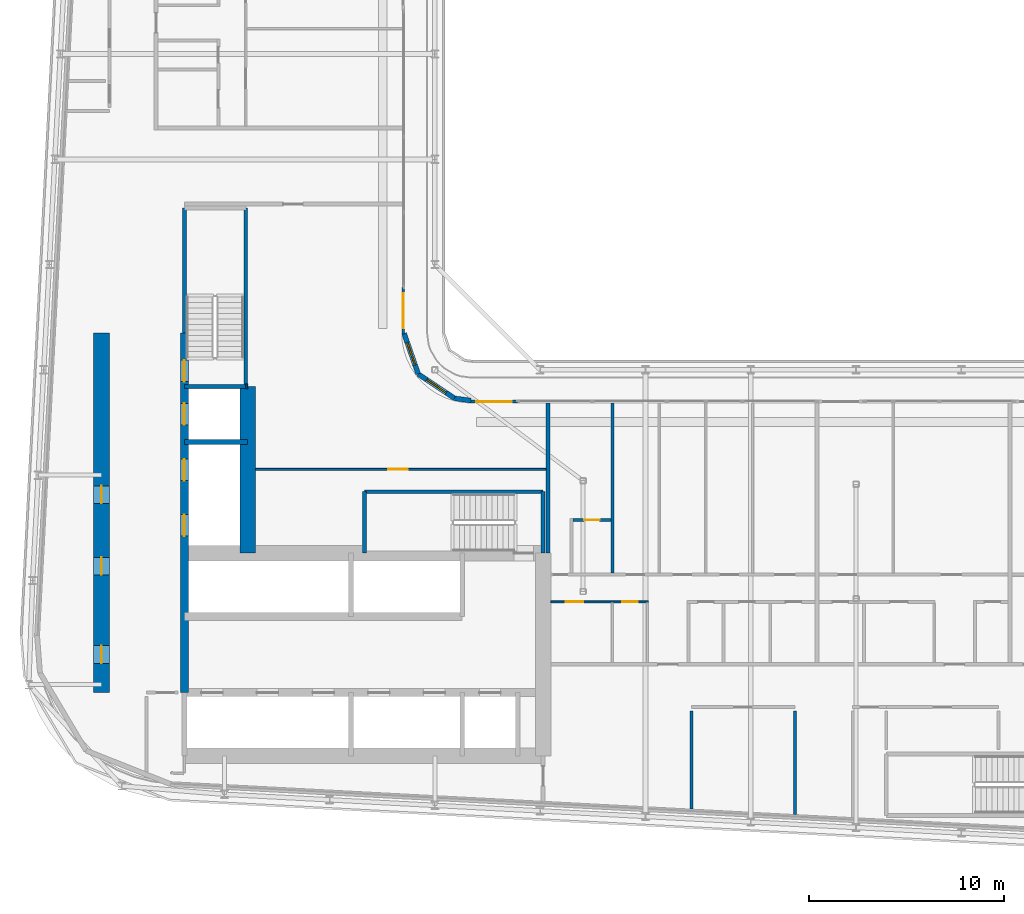
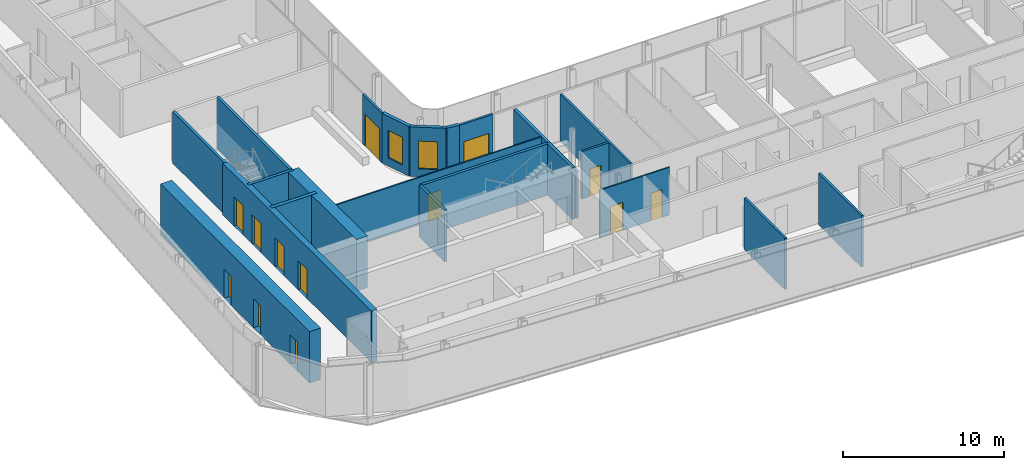
# One storey, part 16 of 30: 23 walls, 13 doors, 2 windows, 15 openings.
"""IFC4 building model written with IfcOpenShell, lengths in metres."""

from ifc_helpers import new_model, si_unit, direction, frame, frame_2d, origin, place, context, subcontext, project, spatial, rectangle, extrude, source, transform, mapped, material, layer, layer_set, type_object, element, fill, save


model = new_model("IFC4")

# Units and contexts
model_context = context("Model", 3, precision=1e-05, world=origin(), true_north=direction((0.0, 1.0)))
body_context = subcontext(model_context, "Body", "Model", "MODEL_VIEW")
ifc_project = project(units=[si_unit("LENGTHUNIT", "METRE"), si_unit("AREAUNIT", "SQUARE_METRE"), si_unit("VOLUMEUNIT", "CUBIC_METRE"), si_unit("PLANEANGLEUNIT", "RADIAN"), si_unit("MASSUNIT", "GRAM", prefix="KILO")], contexts=[model_context])

# Site, building, storey
site_placement = place(None, origin())
site = spatial("IfcSite", under=ifc_project, at=site_placement, CompositionType="ELEMENT")
building_placement = place(site_placement, origin())
building = spatial("IfcBuilding", under=site, at=building_placement, Name="Kheshtan School and Residences Tower", CompositionType="ELEMENT")
storey_placement = place(building_placement, frame((0.0, 0.0, 199.39990234375)))
storey = spatial("IfcBuildingStorey", under=building, at=storey_placement, Name="L47", CompositionType="ELEMENT", Elevation=199.39990234375)

# Wall, openings, doors
ifc_material_1 = material(Name="Concrete C50/60", Category="concrete")
ifc_layer_1 = layer(ifc_material_1, 0.39990234375)
ifc_layer_set_1 = layer_set([ifc_layer_1], Name="Core wall 400 Concrete C50/60")
wall_type_1 = type_object("IfcWallType", Name="Core wall 400 Concrete C50/60", PredefinedType="SHEAR", material=ifc_layer_set_1)
wall_1_placement = place(storey_placement, frame((34.75, 29.050048828125, 0.0), z_axis=(0.0, 0.0, 1.0), x_axis=(0.0, 1.0, 0.0)))
wall_1 = element("IfcWall", 1, at=wall_1_placement, inside=storey, type_object=wall_type_1, Name="Core wall CW-HALL-W1", PredefinedType="SHEAR", context=body_context, shape_type="SweptSolid", body=[
    extrude(rectangle(XDim=18.449951171875, YDim=0.39990234375, at=frame_2d((9.22509765625, 0.0))), origin(), (0.0, 0.0, 1.0), 3.900146484375),
])
opening_1_placement = place(wall_1_placement, frame((8.02490234375, 0.0, 0.0)))
opening_1 = element("IfcOpeningElement", 2, at=opening_1_placement, cuts=wall_1, Name="Opening LD", PredefinedType="OPENING", context=body_context, shape_type="SweptSolid", body=[
    extrude(rectangle(XDim=1.10009765625, YDim=2.199951171875, at=frame_2d((0.550048828125, 1.10009765625))), frame((0.0, 0.2099609375, 0.0), z_axis=(0.0, -1.0, 0.0), x_axis=(1.0, 0.0, 0.0)), (0.0, 0.0, 1.0), 0.419921875),
])
opening_2_placement = place(wall_1_placement, frame((10.875, 0.0, 0.0)))
opening_2 = element("IfcOpeningElement", 3, at=opening_2_placement, cuts=wall_1, Name="Opening LD", PredefinedType="OPENING", context=body_context, shape_type="SweptSolid", body=[
    extrude(rectangle(XDim=1.10009765625, YDim=2.199951171875, at=frame_2d((0.550048828125, 1.10009765625))), frame((0.0, 0.2099609375, 0.0), z_axis=(0.0, -1.0, 0.0), x_axis=(1.0, 0.0, 0.0)), (0.0, 0.0, 1.0), 0.419921875),
])
opening_3_placement = place(wall_1_placement, frame((13.72509765625, 0.0, 0.0)))
opening_3 = element("IfcOpeningElement", 4, at=opening_3_placement, cuts=wall_1, Name="Opening LD", PredefinedType="OPENING", context=body_context, shape_type="SweptSolid", body=[
    extrude(rectangle(XDim=1.10009765625, YDim=2.199951171875, at=frame_2d((0.550048828125, 1.10009765625))), frame((0.0, 0.2099609375, 0.0), z_axis=(0.0, -1.0, 0.0), x_axis=(1.0, 0.0, 0.0)), (0.0, 0.0, 1.0), 0.419921875),
])
opening_4_placement = place(wall_1_placement, frame((15.949951171875, 0.0, 0.0)))
opening_4 = element("IfcOpeningElement", 5, at=opening_4_placement, cuts=wall_1, Name="Opening ST2D", PredefinedType="OPENING", context=body_context, shape_type="SweptSolid", body=[
    extrude(rectangle(XDim=1.10009765625, YDim=2.199951171875, at=frame_2d((0.550048828125, 1.10009765625))), frame((0.0, 0.2099609375, 0.0), z_axis=(0.0, -1.0, 0.0), x_axis=(1.0, 0.0, 0.0)), (0.0, 0.0, 1.0), 0.419921875),
])
ifc_material_2 = material(Name="Stainless steel door leaves", Category="steel")
door_type_1 = type_object("IfcDoorType", Name="Lift landing door 1100", OperationType="SLIDING_TO_LEFT", PredefinedType="DOOR", material=ifc_material_2)
shared_shape_1 = source(origin(), body_context, "Body", "SweptSolid", [
    extrude(rectangle(XDim=1.10009765625, YDim=2.199951171875, at=frame_2d((0.550048828125, 1.10009765625))), frame((0.0, 0.02490234375, 0.0), z_axis=(0.0, -1.0, 0.0), x_axis=(1.0, 0.0, 0.0)), (0.0, 0.0, 1.0), 0.050048828125),
])
door_1_placement = place(opening_1_placement, origin())
door_1 = element("IfcDoor", 6, at=door_1_placement, inside=storey, type_object=door_type_1, Name="Lift SV1 landing door", OperationType="SLIDING_TO_LEFT", OverallHeight=2.199951171875, OverallWidth=1.10009765625, PredefinedType="DOOR", context=body_context, shape_type="MappedRepresentation", body=[
    mapped(shared_shape_1, transform((0.0, 0.0, 0.0), x_axis=(1.0, 0.0, 0.0), y_axis=(0.0, 1.0, 0.0), z_axis=(0.0, 0.0, 1.0), scale=1.0)),
])
fill(opening_1, door_1)
door_2_placement = place(opening_2_placement, origin())
door_2 = element("IfcDoor", 7, at=door_2_placement, inside=storey, type_object=door_type_1, Name="Lift SV2 landing door", OperationType="SLIDING_TO_LEFT", OverallHeight=2.199951171875, OverallWidth=1.10009765625, PredefinedType="DOOR", context=body_context, shape_type="MappedRepresentation", body=[
    mapped(shared_shape_1, transform((0.0, 0.0, 0.0), x_axis=(1.0, 0.0, 0.0), y_axis=(0.0, 1.0, 0.0), z_axis=(0.0, 0.0, 1.0), scale=1.0)),
])
fill(opening_2, door_2)
door_3_placement = place(opening_3_placement, origin())
door_3 = element("IfcDoor", 8, at=door_3_placement, inside=storey, type_object=door_type_1, Name="Lift FFL1 landing door", OperationType="SLIDING_TO_LEFT", OverallHeight=2.199951171875, OverallWidth=1.10009765625, PredefinedType="DOOR", context=body_context, shape_type="MappedRepresentation", body=[
    mapped(shared_shape_1, transform((0.0, 0.0, 0.0), x_axis=(1.0, 0.0, 0.0), y_axis=(0.0, 1.0, 0.0), z_axis=(0.0, 0.0, 1.0), scale=1.0)),
])
fill(opening_3, door_3)
ifc_material_3 = material(Name="Steel door leaf, galvanised", Category="steel")
door_type_2 = type_object("IfcDoorType", Name="Stair door 1100 steel 90 min", OperationType="SINGLE_SWING_LEFT", PredefinedType="DOOR", material=ifc_material_3)
shared_shape_2 = source(origin(), body_context, "Body", "SweptSolid", [
    extrude(rectangle(XDim=1.10009765625, YDim=2.199951171875, at=frame_2d((0.550048828125, 1.10009765625))), frame((0.0, 0.02490234375, 0.0), z_axis=(0.0, -1.0, 0.0), x_axis=(1.0, 0.0, 0.0)), (0.0, 0.0, 1.0), 0.050048828125),
])
door_4_placement = place(opening_4_placement, origin())
door_4 = element("IfcDoor", 9, at=door_4_placement, inside=storey, type_object=door_type_2, Name="Stair ST2 door", OperationType="SINGLE_SWING_RIGHT", OverallHeight=2.199951171875, OverallWidth=1.10009765625, PredefinedType="DOOR", context=body_context, shape_type="MappedRepresentation", body=[
    mapped(shared_shape_2, transform((0.0, 0.0, 0.0), x_axis=(1.0, 0.0, 0.0), y_axis=(0.0, 1.0, 0.0), z_axis=(0.0, 0.0, 1.0), scale=1.0)),
])
fill(opening_4, door_4)

# Wall
ifc_material_4 = material(Name="Concrete C70/85", Category="concrete")
ifc_layer_2 = layer(ifc_material_4, 0.800048828125)
ifc_layer_set_2 = layer_set([ifc_layer_2], Name="Core wall 800 Concrete C70/85")
wall_type_2 = type_object("IfcWallType", Name="Core wall 800 Concrete C70/85", PredefinedType="SHEAR", material=ifc_layer_set_2)
wall_2_placement = place(storey_placement, frame((38.0, 36.199951171875, 0.0), z_axis=(0.0, 0.0, 1.0), x_axis=(0.0, 1.0, 0.0)))
element("IfcWall", 10, at=wall_2_placement, inside=storey, type_object=wall_type_2, Name="Core wall CW-FRONT-W", PredefinedType="SHEAR", context=body_context, shape_type="SweptSolid", body=[
    extrude(rectangle(XDim=8.550048828125, YDim=0.800048828125, at=frame_2d((4.27490234375, 0.0))), origin(), (0.0, 0.0, 1.0), 3.900146484375),
])

# Wall, openings, doors
wall_3_placement = place(storey_placement, frame((30.5, 29.050048828125, 0.0), z_axis=(0.0, 0.0, 1.0), x_axis=(0.0, 1.0, 0.0)))
wall_3 = element("IfcWall", 11, at=wall_3_placement, inside=storey, type_object=wall_type_2, Name="Core wall CW-REAR-W", PredefinedType="SHEAR", context=body_context, shape_type="SweptSolid", body=[
    extrude(rectangle(XDim=18.449951171875, YDim=0.800048828125, at=frame_2d((9.22509765625, 0.0))), origin(), (0.0, 0.0, 1.0), 3.900146484375),
])
opening_5_placement = place(wall_3_placement, frame((1.5, 0.0, 0.0)))
opening_5 = element("IfcOpeningElement", 12, at=opening_5_placement, cuts=wall_3, Name="Opening SR90", PredefinedType="OPENING", context=body_context, shape_type="SweptSolid", body=[
    extrude(rectangle(XDim=0.89990234375, YDim=2.199951171875, at=frame_2d((0.449951171875, 1.10009765625))), frame((0.0, 0.41015625, 0.0), z_axis=(0.0, -1.0, 0.0), x_axis=(1.0, 0.0, 0.0)), (0.0, 0.0, 1.0), 0.820068359375),
])
opening_6_placement = place(wall_3_placement, frame((6.030029296875, 0.0, 0.0)))
opening_6 = element("IfcOpeningElement", 13, at=opening_6_placement, cuts=wall_3, Name="Opening SR90", PredefinedType="OPENING", context=body_context, shape_type="SweptSolid", body=[
    extrude(rectangle(XDim=0.89990234375, YDim=2.199951171875, at=frame_2d((0.449951171875, 1.10009765625))), frame((0.0, 0.41015625, 0.0), z_axis=(0.0, -1.0, 0.0), x_axis=(1.0, 0.0, 0.0)), (0.0, 0.0, 1.0), 0.820068359375),
])
opening_7_placement = place(wall_3_placement, frame((9.699951171875, 0.0, 0.0)))
opening_7 = element("IfcOpeningElement", 14, at=opening_7_placement, cuts=wall_3, Name="Opening SR90", PredefinedType="OPENING", context=body_context, shape_type="SweptSolid", body=[
    extrude(rectangle(XDim=0.89990234375, YDim=2.199951171875, at=frame_2d((0.449951171875, 1.10009765625))), frame((0.0, 0.41015625, 0.0), z_axis=(0.0, -1.0, 0.0), x_axis=(1.0, 0.0, 0.0)), (0.0, 0.0, 1.0), 0.820068359375),
])
door_type_3 = type_object("IfcDoorType", Name="Service room door 900 steel 90 min", OperationType="SINGLE_SWING_LEFT", PredefinedType="DOOR", material=ifc_material_3)
shared_shape_3 = source(origin(), body_context, "Body", "SweptSolid", [
    extrude(rectangle(XDim=0.89990234375, YDim=2.199951171875, at=frame_2d((0.449951171875, 1.10009765625))), frame((0.0, 0.02490234375, 0.0), z_axis=(0.0, -1.0, 0.0), x_axis=(1.0, 0.0, 0.0)), (0.0, 0.0, 1.0), 0.050048828125),
])
door_5_placement = place(opening_5_placement, origin())
door_5 = element("IfcDoor", 15, at=door_5_placement, inside=storey, type_object=door_type_3, Name="Service room door", OperationType="SINGLE_SWING_LEFT", OverallHeight=2.199951171875, OverallWidth=0.89990234375, PredefinedType="DOOR", context=body_context, shape_type="MappedRepresentation", body=[
    mapped(shared_shape_3, transform((0.0, 0.0, 0.0), x_axis=(1.0, 0.0, 0.0), y_axis=(0.0, 1.0, 0.0), z_axis=(0.0, 0.0, 1.0), scale=1.0)),
])
fill(opening_5, door_5)
door_6_placement = place(opening_6_placement, origin())
door_6 = element("IfcDoor", 16, at=door_6_placement, inside=storey, type_object=door_type_3, Name="Service room door", OperationType="SINGLE_SWING_RIGHT", OverallHeight=2.199951171875, OverallWidth=0.89990234375, PredefinedType="DOOR", context=body_context, shape_type="MappedRepresentation", body=[
    mapped(shared_shape_3, transform((0.0, 0.0, 0.0), x_axis=(1.0, 0.0, 0.0), y_axis=(0.0, 1.0, 0.0), z_axis=(0.0, 0.0, 1.0), scale=1.0)),
])
fill(opening_6, door_6)
door_7_placement = place(opening_7_placement, origin())
door_7 = element("IfcDoor", 17, at=door_7_placement, inside=storey, type_object=door_type_3, Name="Service room door", OperationType="SINGLE_SWING_LEFT", OverallHeight=2.199951171875, OverallWidth=0.89990234375, PredefinedType="DOOR", context=body_context, shape_type="MappedRepresentation", body=[
    mapped(shared_shape_3, transform((0.0, 0.0, 0.0), x_axis=(1.0, 0.0, 0.0), y_axis=(0.0, 1.0, 0.0), z_axis=(0.0, 0.0, 1.0), scale=1.0)),
])
fill(opening_7, door_7)

# Wall, opening, window
ifc_material_5 = material(Name="Concrete C40/50 with ceramic cladding and mineral wool insulation", Category="concrete")
ifc_layer_3 = layer(ifc_material_5, 0.25)
ifc_layer_set_3 = layer_set([ifc_layer_3], Name="External wall 250 ceramic clad")
wall_type_3 = type_object("IfcWallType", Name="External wall 250 ceramic clad", PredefinedType="SOLIDWALL", material=ifc_layer_set_3)
wall_4_placement = place(storey_placement, frame((46.01806640625, 47.470947265625, 0.0), z_axis=(0.0, 0.0, 1.0), x_axis=(0.328791208903, -0.944402637093, 0.0)))
wall_4 = element("IfcWall", 18, at=wall_4_placement, inside=storey, type_object=wall_type_3, Name="External wall L47 9", PredefinedType="SOLIDWALL", context=body_context, shape_type="SweptSolid", body=[
    extrude(rectangle(XDim=2.20458984375, YDim=0.25, at=frame_2d((1.102294921875, 0.0))), origin(), (0.0, 0.0, 1.0), 3.75),
])
opening_8_placement = place(wall_4_placement, frame((0.5029296875, 0.0, 0.60009765625)))
opening_8 = element("IfcOpeningElement", 19, at=opening_8_placement, cuts=wall_4, Name="Opening WN-E", PredefinedType="OPENING", context=body_context, shape_type="SweptSolid", body=[
    extrude(rectangle(XDim=1.199951171875, YDim=2.10009765625, at=frame_2d((0.60009765625, 1.050048828125))), frame((0.0, 0.135009765625, 0.0), z_axis=(0.0, -1.0, 0.0), x_axis=(1.0, 0.0, 0.0)), (0.0, 0.0, 1.0), 0.27001953125),
])
ifc_material_6 = material(Name="Clear low-e glass in thermally broken aluminium frame", Category="aluminium")
window_type = type_object("IfcWindowType", Name="Window WN-E", PartitioningType="SINGLE_PANEL", PredefinedType="WINDOW", material=ifc_material_6)
shared_shape_4 = source(origin(), body_context, "Body", "SweptSolid", [
    extrude(rectangle(XDim=1.199951171875, YDim=2.10009765625, at=frame_2d((0.60009765625, 1.050048828125))), frame((0.0, 0.030029296875, 0.0), z_axis=(0.0, -1.0, 0.0), x_axis=(1.0, 0.0, 0.0)), (0.0, 0.0, 1.0), 0.06005859375),
])
window_1_placement = place(opening_8_placement, origin())
window_1 = element("IfcWindow", 20, at=window_1_placement, inside=storey, type_object=window_type, Name="Window L47 9", OverallHeight=2.10009765625, OverallWidth=1.199951171875, PartitioningType="SINGLE_PANEL", PredefinedType="WINDOW", context=body_context, shape_type="MappedRepresentation", body=[
    mapped(shared_shape_4, transform((0.0, 0.0, 0.0), x_axis=(1.0, 0.0, 0.0), y_axis=(0.0, 1.0, 0.0), z_axis=(0.0, 0.0, 1.0), scale=1.0)),
])
fill(opening_8, window_1)

wall_5_placement = place(storey_placement, frame((46.742919921875, 45.388916015625, 0.0), z_axis=(0.0, 0.0, 1.0), x_axis=(0.831449265529, -0.555600682912, 0.0)))
wall_5 = element("IfcWall", 21, at=wall_5_placement, inside=storey, type_object=wall_type_3, Name="External wall L47 10", PredefinedType="SOLIDWALL", context=body_context, shape_type="SweptSolid", body=[
    extrude(rectangle(XDim=2.25146484375, YDim=0.25, at=frame_2d((1.125732421875, 0.0))), origin(), (0.0, 0.0, 1.0), 3.75),
])
opening_9_placement = place(wall_5_placement, frame((0.52490234375, 0.0, 0.60009765625)))
opening_9 = element("IfcOpeningElement", 22, at=opening_9_placement, cuts=wall_5, Name="Opening WN-E", PredefinedType="OPENING", context=body_context, shape_type="SweptSolid", body=[
    extrude(rectangle(XDim=1.199951171875, YDim=2.10009765625, at=frame_2d((0.60009765625, 1.050048828125))), frame((0.0, 0.135009765625, 0.0), z_axis=(0.0, -1.0, 0.0), x_axis=(1.0, 0.0, 0.0)), (0.0, 0.0, 1.0), 0.27001953125),
])
window_2_placement = place(opening_9_placement, origin())
window_2 = element("IfcWindow", 23, at=window_2_placement, inside=storey, type_object=window_type, Name="Window L47 10", OverallHeight=2.10009765625, OverallWidth=1.199951171875, PartitioningType="SINGLE_PANEL", PredefinedType="WINDOW", context=body_context, shape_type="MappedRepresentation", body=[
    mapped(shared_shape_4, transform((0.0, 0.0, 0.0), x_axis=(1.0, 0.0, 0.0), y_axis=(0.0, 1.0, 0.0), z_axis=(0.0, 0.0, 1.0), scale=1.0)),
])
fill(opening_9, window_2)

# Wall
wall_6_placement = place(storey_placement, frame((48.614990234375, 44.137939453125, 0.0), z_axis=(0.0, 0.0, 1.0), x_axis=(0.990741504246, -0.135761819977, 0.0)))
element("IfcWall", 24, at=wall_6_placement, inside=storey, type_object=wall_type_3, Name="External wall L47 11", PredefinedType="SOLIDWALL", context=body_context, shape_type="SweptSolid", body=[
    extrude(rectangle(XDim=0.83984375, YDim=0.25, at=frame_2d((0.419921875, 0.0))), origin(), (0.0, 0.0, 1.0), 3.75),
])

# Wall, opening, door
ifc_material_7 = material(Name="Aluminium frame wall with insulated infill", Category="aluminium")
ifc_layer_4 = layer(ifc_material_7, 0.14990234375)
ifc_layer_set_4 = layer_set([ifc_layer_4], Name="Glazing frame wall 150")
wall_type_4 = type_object("IfcWallType", Name="Glazing frame wall 150", PredefinedType="SOLIDWALL", material=ifc_layer_set_4)
wall_7_placement = place(storey_placement, frame((45.97509765625, 49.830078125, 0.0), z_axis=(0.0, 0.0, 1.0), x_axis=(0.0, -1.0, 0.0)))
wall_7 = element("IfcWall", 25, at=wall_7_placement, inside=storey, type_object=wall_type_4, Name="Balcony door wall L47 8.5", PredefinedType="SOLIDWALL", context=body_context, shape_type="SweptSolid", body=[
    extrude(rectangle(XDim=2.400146484375, YDim=0.14990234375, at=frame_2d((1.2001953125, 0.0))), origin(), (0.0, 0.0, 1.0), 3.75),
])
opening_10_placement = place(wall_7_placement, frame((0.300048828125, 0.0, 0.0)))
opening_10 = element("IfcOpeningElement", 26, at=opening_10_placement, cuts=wall_7, Name="Opening BD", PredefinedType="OPENING", context=body_context, shape_type="SweptSolid", body=[
    extrude(rectangle(XDim=1.800048828125, YDim=2.39990234375, at=frame_2d((0.89990234375, 1.199951171875))), frame((0.0, 0.0849609375, 0.0), z_axis=(0.0, -1.0, 0.0), x_axis=(1.0, 0.0, 0.0)), (0.0, 0.0, 1.0), 0.169921875),
])
door_type_4 = type_object("IfcDoorType", Name="Balcony sliding door", OperationType="SLIDING_TO_LEFT", PredefinedType="DOOR", material=ifc_material_6)
shared_shape_5 = source(origin(), body_context, "Body", "SweptSolid", [
    extrude(rectangle(XDim=1.800048828125, YDim=2.39990234375, at=frame_2d((0.89990234375, 1.199951171875))), frame((0.0, 0.02490234375, 0.0), z_axis=(0.0, -1.0, 0.0), x_axis=(1.0, 0.0, 0.0)), (0.0, 0.0, 1.0), 0.050048828125),
])
door_8_placement = place(opening_10_placement, origin())
door_8 = element("IfcDoor", 27, at=door_8_placement, inside=storey, type_object=door_type_4, Name="Balcony door L47 8.5", OperationType="SLIDING_TO_LEFT", OverallHeight=2.39990234375, OverallWidth=1.800048828125, PredefinedType="DOOR", context=body_context, shape_type="MappedRepresentation", body=[
    mapped(shared_shape_5, transform((0.0, 0.0, 0.0), x_axis=(1.0, 0.0, 0.0), y_axis=(0.0, 1.0, 0.0), z_axis=(0.0, 0.0, 1.0), scale=1.0)),
])
fill(opening_10, door_8)

wall_8_placement = place(storey_placement, frame((49.429931640625, 43.97509765625, 0.0), z_axis=(0.0, 0.0, 1.0), x_axis=(1.0, 0.0, 0.0)))
wall_8 = element("IfcWall", 28, at=wall_8_placement, inside=storey, type_object=wall_type_4, Name="Balcony door wall L47 12.1", PredefinedType="SOLIDWALL", context=body_context, shape_type="SweptSolid", body=[
    extrude(rectangle(XDim=2.400146484375, YDim=0.14990234375, at=frame_2d((1.2001953125, 0.0))), origin(), (0.0, 0.0, 1.0), 3.75),
])
opening_11_placement = place(wall_8_placement, frame((0.300048828125, 0.0, 0.0)))
opening_11 = element("IfcOpeningElement", 29, at=opening_11_placement, cuts=wall_8, Name="Opening BD", PredefinedType="OPENING", context=body_context, shape_type="SweptSolid", body=[
    extrude(rectangle(XDim=1.800048828125, YDim=2.39990234375, at=frame_2d((0.89990234375, 1.199951171875))), frame((0.0, 0.0849609375, 0.0), z_axis=(0.0, -1.0, 0.0), x_axis=(1.0, 0.0, 0.0)), (0.0, 0.0, 1.0), 0.169921875),
])
door_9_placement = place(opening_11_placement, origin())
door_9 = element("IfcDoor", 30, at=door_9_placement, inside=storey, type_object=door_type_4, Name="Balcony door L47 12.1", OperationType="SLIDING_TO_LEFT", OverallHeight=2.39990234375, OverallWidth=1.800048828125, PredefinedType="DOOR", context=body_context, shape_type="MappedRepresentation", body=[
    mapped(shared_shape_5, transform((0.0, 0.0, 0.0), x_axis=(1.0, 0.0, 0.0), y_axis=(0.0, 1.0, 0.0), z_axis=(0.0, 0.0, 1.0), scale=1.0)),
])
fill(opening_11, door_9)

ifc_material_8 = material(Name="Gypsum board on steel studs", Category="steel")
ifc_layer_5 = layer(ifc_material_8, 0.10009765625)
ifc_layer_set_5 = layer_set([ifc_layer_5], Name="Gypsum partition 100")
wall_type_5 = type_object("IfcWallType", Name="Gypsum partition 100", PredefinedType="PARTITIONING", material=ifc_layer_set_5)
wall_9_placement = place(storey_placement, frame((38.39892578125, 40.5, 0.0), z_axis=(0.0, 0.0, 1.0), x_axis=(1.0, 0.0, 0.0)))
wall_9 = element("IfcWall", 31, at=wall_9_placement, inside=storey, type_object=wall_type_5, Name="Partition L47-031", PredefinedType="PARTITIONING", context=body_context, shape_type="SweptSolid", body=[
    extrude(rectangle(XDim=14.901123046875, YDim=0.10009765625, at=frame_2d((7.45068359375, 0.0))), origin(), (0.0, 0.0, 1.0), 3.60009765625),
])
opening_12_placement = place(wall_9_placement, frame((6.801025390625, 0.0, 0.0)))
opening_12 = element("IfcOpeningElement", 32, at=opening_12_placement, cuts=wall_9, Name="Opening D46-054", PredefinedType="OPENING", context=body_context, shape_type="SweptSolid", body=[
    extrude(rectangle(XDim=1.0, YDim=2.10009765625, at=frame_2d((0.5, 1.050048828125))), frame((0.0, 0.06005859375, 0.0), z_axis=(0.0, -1.0, 0.0), x_axis=(1.0, 0.0, 0.0)), (0.0, 0.0, 1.0), 0.1201171875),
])
ifc_material_9 = material(Name="Veneered timber door leaf", Category="wood")
door_type_5 = type_object("IfcDoorType", Name="Door 1000 x 2100", OperationType="SINGLE_SWING_LEFT", PredefinedType="DOOR", material=ifc_material_9)
shared_shape_6 = source(origin(), body_context, "Body", "SweptSolid", [
    extrude(rectangle(XDim=1.0, YDim=2.10009765625, at=frame_2d((0.5, 1.050048828125))), frame((0.0, 0.02490234375, 0.0), z_axis=(0.0, -1.0, 0.0), x_axis=(1.0, 0.0, 0.0)), (0.0, 0.0, 1.0), 0.050048828125),
])
door_10_placement = place(opening_12_placement, origin())
door_10 = element("IfcDoor", 33, at=door_10_placement, inside=storey, type_object=door_type_5, Name="Door D46-054", OperationType="SINGLE_SWING_LEFT", OverallHeight=2.10009765625, OverallWidth=1.0, PredefinedType="DOOR", context=body_context, shape_type="MappedRepresentation", body=[
    mapped(shared_shape_6, transform((0.0, 0.0, 0.0), x_axis=(1.0, 0.0, 0.0), y_axis=(0.0, 1.0, 0.0), z_axis=(0.0, 0.0, 1.0), scale=1.0)),
])
fill(opening_12, door_10)

# Wall, openings, doors
wall_10_placement = place(storey_placement, frame((53.549072265625, 33.699951171875, 0.0), z_axis=(0.0, 0.0, 1.0), x_axis=(1.0, 0.0, 0.0)))
wall_10 = element("IfcWall", 34, at=wall_10_placement, inside=storey, type_object=wall_type_5, Name="Partition L47-035", PredefinedType="PARTITIONING", context=body_context, shape_type="SweptSolid", body=[
    extrude(rectangle(XDim=5.0009765625, YDim=0.10009765625, at=frame_2d((2.50048828125, 0.0))), origin(), (0.0, 0.0, 1.0), 3.60009765625),
])
opening_13_placement = place(wall_10_placement, frame((0.7509765625, 0.0, 0.0)))
opening_13 = element("IfcOpeningElement", 35, at=opening_13_placement, cuts=wall_10, Name="Opening D46-007", PredefinedType="OPENING", context=body_context, shape_type="SweptSolid", body=[
    extrude(rectangle(XDim=0.89990234375, YDim=2.10009765625, at=frame_2d((0.449951171875, 1.050048828125))), frame((0.0, 0.06005859375, 0.0), z_axis=(0.0, -1.0, 0.0), x_axis=(1.0, 0.0, 0.0)), (0.0, 0.0, 1.0), 0.1201171875),
])
opening_14_placement = place(wall_10_placement, frame((3.65087890625, 0.0, 0.0)))
opening_14 = element("IfcOpeningElement", 36, at=opening_14_placement, cuts=wall_10, Name="Opening D46-011", PredefinedType="OPENING", context=body_context, shape_type="SweptSolid", body=[
    extrude(rectangle(XDim=0.800048828125, YDim=2.10009765625, at=frame_2d((0.39990234375, 1.050048828125))), frame((0.0, 0.06005859375, 0.0), z_axis=(0.0, -1.0, 0.0), x_axis=(1.0, 0.0, 0.0)), (0.0, 0.0, 1.0), 0.1201171875),
])
door_type_6 = type_object("IfcDoorType", Name="Door 800 x 2100", OperationType="SINGLE_SWING_LEFT", PredefinedType="DOOR", material=ifc_material_9)
shared_shape_7 = source(origin(), body_context, "Body", "SweptSolid", [
    extrude(rectangle(XDim=0.800048828125, YDim=2.10009765625, at=frame_2d((0.39990234375, 1.050048828125))), frame((0.0, 0.02490234375, 0.0), z_axis=(0.0, -1.0, 0.0), x_axis=(1.0, 0.0, 0.0)), (0.0, 0.0, 1.0), 0.050048828125),
])
door_11_placement = place(opening_14_placement, origin())
door_11 = element("IfcDoor", 37, at=door_11_placement, inside=storey, type_object=door_type_6, Name="Door D46-011", OperationType="SINGLE_SWING_RIGHT", OverallHeight=2.10009765625, OverallWidth=0.800048828125, PredefinedType="DOOR", context=body_context, shape_type="MappedRepresentation", body=[
    mapped(shared_shape_7, transform((0.0, 0.0, 0.0), x_axis=(1.0, 0.0, 0.0), y_axis=(0.0, 1.0, 0.0), z_axis=(0.0, 0.0, 1.0), scale=1.0)),
])
fill(opening_14, door_11)
door_type_7 = type_object("IfcDoorType", Name="Door 900 x 2100", OperationType="SINGLE_SWING_LEFT", PredefinedType="DOOR", material=ifc_material_9)
shared_shape_8 = source(origin(), body_context, "Body", "SweptSolid", [
    extrude(rectangle(XDim=0.89990234375, YDim=2.10009765625, at=frame_2d((0.449951171875, 1.050048828125))), frame((0.0, 0.02490234375, 0.0), z_axis=(0.0, -1.0, 0.0), x_axis=(1.0, 0.0, 0.0)), (0.0, 0.0, 1.0), 0.050048828125),
])
door_12_placement = place(opening_13_placement, origin())
door_12 = element("IfcDoor", 38, at=door_12_placement, inside=storey, type_object=door_type_7, Name="Door D46-007", OperationType="SINGLE_SWING_RIGHT", OverallHeight=2.10009765625, OverallWidth=0.89990234375, PredefinedType="DOOR", context=body_context, shape_type="MappedRepresentation", body=[
    mapped(shared_shape_8, transform((0.0, 0.0, 0.0), x_axis=(1.0, 0.0, 0.0), y_axis=(0.0, 1.0, 0.0), z_axis=(0.0, 0.0, 1.0), scale=1.0)),
])
fill(opening_13, door_12)

# Walls
ifc_material_10 = material(Name="Fire-board shaft wall system")
ifc_layer_6 = layer(ifc_material_10, 0.14990234375)
ifc_layer_set_6 = layer_set([ifc_layer_6], Name="Service room wall 150")
wall_type_6 = type_object("IfcWallType", Name="Service room wall 150", PredefinedType="PARTITIONING", material=ifc_layer_set_6)
wall_11_placement = place(storey_placement, frame((60.75, 23.074951171875, 0.0), z_axis=(0.0, 0.0, 1.0), x_axis=(0.0, 1.0, 0.0)))
element("IfcWall", 39, at=wall_11_placement, inside=storey, type_object=wall_type_6, Name="Service room wall", PredefinedType="PARTITIONING", context=body_context, shape_type="SweptSolid", body=[
    extrude(rectangle(XDim=5.030029296875, YDim=0.14990234375, at=frame_2d((2.51513671875, 0.0))), origin(), (0.0, 0.0, 1.0), 3.900146484375),
])
wall_12_placement = place(storey_placement, frame((66.073974609375, 22.794921875, 0.0), z_axis=(0.0, 0.0, 1.0), x_axis=(0.0, 1.0, 0.0)))
element("IfcWall", 40, at=wall_12_placement, inside=storey, type_object=wall_type_6, Name="Service room wall", PredefinedType="PARTITIONING", context=body_context, shape_type="SweptSolid", body=[
    extrude(rectangle(XDim=5.31005859375, YDim=0.14990234375, at=frame_2d((2.655029296875, 0.0))), origin(), (0.0, 0.0, 1.0), 3.900146484375),
])
ifc_layer_7 = layer(ifc_material_10, 0.25)
ifc_layer_set_7 = layer_set([ifc_layer_7], Name="Shaft lining wall 250")
wall_type_7 = type_object("IfcWallType", Name="Shaft lining wall 250", PredefinedType="PARTITIONING", material=ifc_layer_set_7)
wall_13_placement = place(storey_placement, frame((34.75, 41.89990234375, 0.0), z_axis=(0.0, 0.0, 1.0), x_axis=(1.0, 0.0, 0.0)))
element("IfcWall", 41, at=wall_13_placement, inside=storey, type_object=wall_type_7, Name="Shaft lining wall", PredefinedType="PARTITIONING", context=body_context, shape_type="SweptSolid", body=[
    extrude(rectangle(XDim=3.25, YDim=0.25, at=frame_2d((1.625, 0.0))), origin(), (0.0, 0.0, 1.0), 3.900146484375),
])
wall_14_placement = place(storey_placement, frame((37.89990234375, 44.75, 0.0), z_axis=(0.0, 0.0, 1.0), x_axis=(1.0, 0.0, 0.0)))
element("IfcWall", 42, at=wall_14_placement, inside=storey, type_object=wall_type_7, Name="Shaft lining wall", PredefinedType="PARTITIONING", context=body_context, shape_type="SweptSolid", body=[
    extrude(rectangle(XDim=0.10009765625, YDim=0.25, at=frame_2d((0.050048828125, 0.0))), origin(), (0.0, 0.0, 1.0), 3.900146484375),
])
ifc_material_11 = material(Name="Concrete C40/50", Category="concrete")
ifc_layer_8 = layer(ifc_material_11, 0.199951171875)
ifc_layer_set_8 = layer_set([ifc_layer_8], Name="Stair enclosure wall 200 Concrete C40/50")
wall_type_8 = type_object("IfcWallType", Name="Stair enclosure wall 200 Concrete C40/50", PredefinedType="SHEAR", material=ifc_layer_set_8)
wall_15_placement = place(storey_placement, frame((43.989990234375, 39.35009765625, 0.0), z_axis=(0.0, 0.0, 1.0), x_axis=(1.0, 0.0, 0.0)))
element("IfcWall", 43, at=wall_15_placement, inside=storey, type_object=wall_type_8, Name="Stair enclosure wall ST1", PredefinedType="SHEAR", context=body_context, shape_type="SweptSolid", body=[
    extrude(rectangle(XDim=9.159912109375, YDim=0.199951171875, at=frame_2d((4.580078125, 0.0))), origin(), (0.0, 0.0, 1.0), 3.900146484375),
])
for number, where, z_axis, x_axis, name in (
    (44, (43.989990234375, 36.199951171875, 0.0), (0.0, 0.0, 1.0), (0.0, 1.0, 0.0), "Stair enclosure wall ST1"),
    (45, (53.14990234375, 36.199951171875, 0.0), (0.0, 0.0, 1.0), (0.0, 1.0, 0.0), "Stair enclosure wall ST1"),
):
    element("IfcWall", number, at=place(storey_placement, frame(where, z_axis=z_axis, x_axis=x_axis)), inside=storey, type_object=wall_type_8, Name=name, PredefinedType="SHEAR", context=body_context, shape_type="SweptSolid", body=[
        extrude(rectangle(XDim=3.150146484375, YDim=0.199951171875, at=frame_2d((1.5751953125, 0.0))), origin(), (0.0, 0.0, 1.0), 3.900146484375),
    ])
wall_16_placement = place(storey_placement, frame((34.75, 44.75, 0.0), z_axis=(0.0, 0.0, 1.0), x_axis=(1.0, 0.0, 0.0)))
element("IfcWall", 46, at=wall_16_placement, inside=storey, type_object=wall_type_8, Name="Stair enclosure wall ST2", PredefinedType="SHEAR", context=body_context, shape_type="SweptSolid", body=[
    extrude(rectangle(XDim=3.14990234375, YDim=0.199951171875, at=frame_2d((1.574951171875, 0.0))), origin(), (0.0, 0.0, 1.0), 3.900146484375),
])
wall_17_placement = place(storey_placement, frame((34.75, 47.5, 0.0), z_axis=(0.0, 0.0, 1.0), x_axis=(0.0, 1.0, 0.0)))
element("IfcWall", 47, at=wall_17_placement, inside=storey, type_object=wall_type_8, Name="Stair enclosure wall ST2", PredefinedType="SHEAR", context=body_context, shape_type="SweptSolid", body=[
    extrude(rectangle(XDim=6.409912109375, YDim=0.199951171875, at=frame_2d((3.205078125, 0.0))), origin(), (0.0, 0.0, 1.0), 3.900146484375),
])
wall_18_placement = place(storey_placement, frame((37.89990234375, 44.75, 0.0), z_axis=(0.0, 0.0, 1.0), x_axis=(0.0, 1.0, 0.0)))
element("IfcWall", 48, at=wall_18_placement, inside=storey, type_object=wall_type_8, Name="Stair enclosure wall ST2", PredefinedType="SHEAR", context=body_context, shape_type="SweptSolid", body=[
    extrude(rectangle(XDim=9.159912109375, YDim=0.199951171875, at=frame_2d((4.580078125, 0.0))), origin(), (0.0, 0.0, 1.0), 3.900146484375),
])
ifc_material_12 = material(Name="Twin gypsum board on steel studs with mineral wool", Category="steel")
ifc_layer_9 = layer(ifc_material_12, 0.199951171875)
ifc_layer_set_9 = layer_set([ifc_layer_9], Name="Unit demising wall 200")
wall_type_9 = type_object("IfcWallType", Name="Unit demising wall 200", PredefinedType="PARTITIONING", material=ifc_layer_set_9)
wall_19_placement = place(storey_placement, frame((53.39990234375, 36.198974609375, 0.0), z_axis=(0.0, 0.0, 1.0), x_axis=(0.0, 1.0, 0.0)))
element("IfcWall", 49, at=wall_19_placement, inside=storey, type_object=wall_type_9, Name="Partition L47-033", PredefinedType="PARTITIONING", context=body_context, shape_type="SweptSolid", body=[
    extrude(rectangle(XDim=7.700927734375, YDim=0.199951171875, at=frame_2d((3.8505859375, 0.0))), origin(), (0.0, 0.0, 1.0), 3.60009765625),
])

# Wall, opening, door
ifc_material_13 = material(Name="Moisture-resistant gypsum board on steel studs", Category="steel")
ifc_layer_10 = layer(ifc_material_13, 0.14990234375)
ifc_layer_set_10 = layer_set([ifc_layer_10], Name="Wet-room partition 150")
wall_type_10 = type_object("IfcWallType", Name="Wet-room partition 150", PredefinedType="PARTITIONING", material=ifc_layer_set_10)
wall_20_placement = place(storey_placement, frame((54.675048828125, 37.89990234375, 0.0), z_axis=(0.0, 0.0, 1.0), x_axis=(1.0, 0.0, 0.0)))
wall_20 = element("IfcWall", 50, at=wall_20_placement, inside=storey, type_object=wall_type_10, Name="Partition L47-038", PredefinedType="PARTITIONING", context=body_context, shape_type="SweptSolid", body=[
    extrude(rectangle(XDim=1.949951171875, YDim=0.14990234375, at=frame_2d((0.97509765625, 0.0))), origin(), (0.0, 0.0, 1.0), 3.60009765625),
])
opening_15_placement = place(wall_20_placement, frame((0.574951171875, 0.0, 0.0)))
opening_15 = element("IfcOpeningElement", 51, at=opening_15_placement, cuts=wall_20, Name="Opening D46-005", PredefinedType="OPENING", context=body_context, shape_type="SweptSolid", body=[
    extrude(rectangle(XDim=0.800048828125, YDim=2.10009765625, at=frame_2d((0.39990234375, 1.050048828125))), frame((0.0, 0.0849609375, 0.0), z_axis=(0.0, -1.0, 0.0), x_axis=(1.0, 0.0, 0.0)), (0.0, 0.0, 1.0), 0.169921875),
])
door_13_placement = place(opening_15_placement, origin())
door_13 = element("IfcDoor", 52, at=door_13_placement, inside=storey, type_object=door_type_6, Name="Door D46-005", OperationType="SINGLE_SWING_LEFT", OverallHeight=2.10009765625, OverallWidth=0.800048828125, PredefinedType="DOOR", context=body_context, shape_type="MappedRepresentation", body=[
    mapped(shared_shape_7, transform((0.0, 0.0, 0.0), x_axis=(1.0, 0.0, 0.0), y_axis=(0.0, 1.0, 0.0), z_axis=(0.0, 0.0, 1.0), scale=1.0)),
])
fill(opening_15, door_13)

# Wall
wall_21_placement = place(storey_placement, frame((56.699951171875, 35.175048828125, 0.0), z_axis=(0.0, 0.0, 1.0), x_axis=(0.0, 1.0, 0.0)))
element("IfcWall", 53, at=wall_21_placement, inside=storey, type_object=wall_type_10, Name="Partition L47-040", PredefinedType="PARTITIONING", context=body_context, shape_type="SweptSolid", body=[
    extrude(rectangle(XDim=8.724853515625, YDim=0.14990234375, at=frame_2d((4.3623046875, 0.0))), origin(), (0.0, 0.0, 1.0), 3.60009765625),
])

save(model, "model.ifc")
